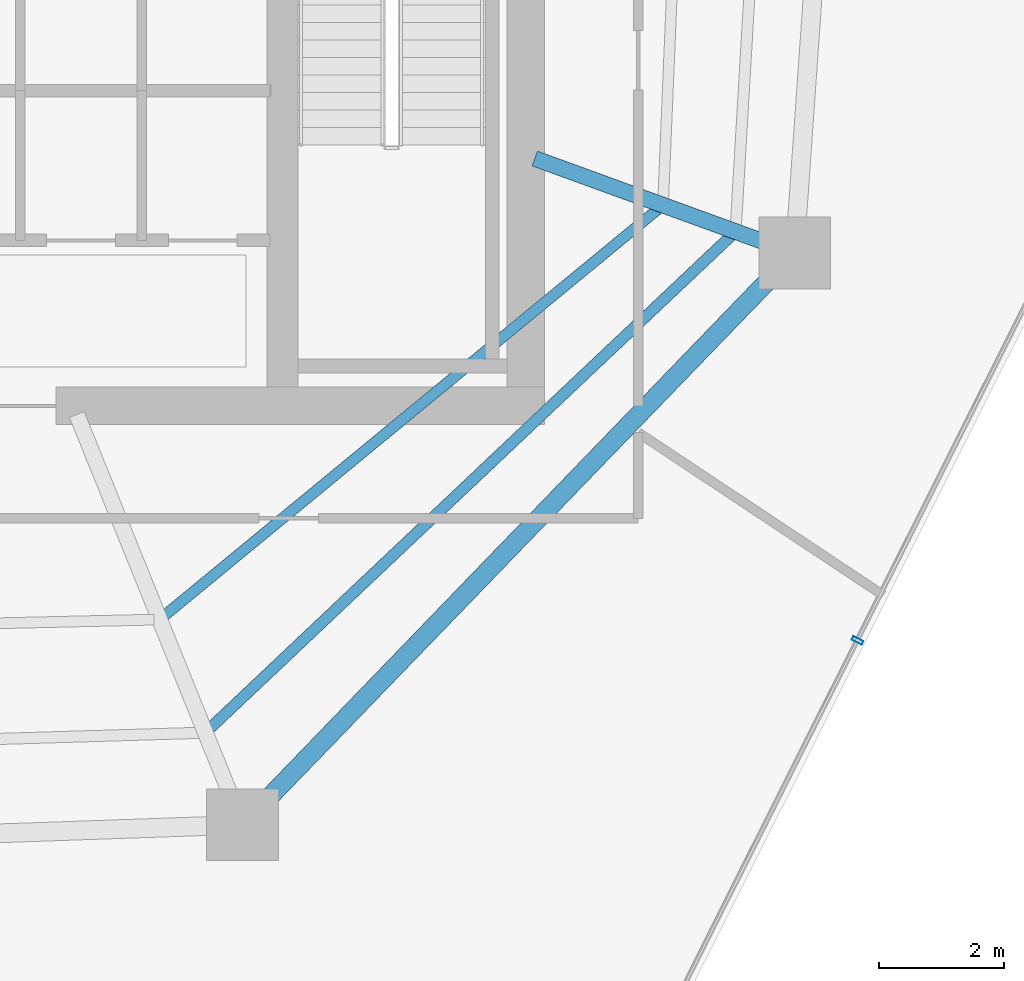
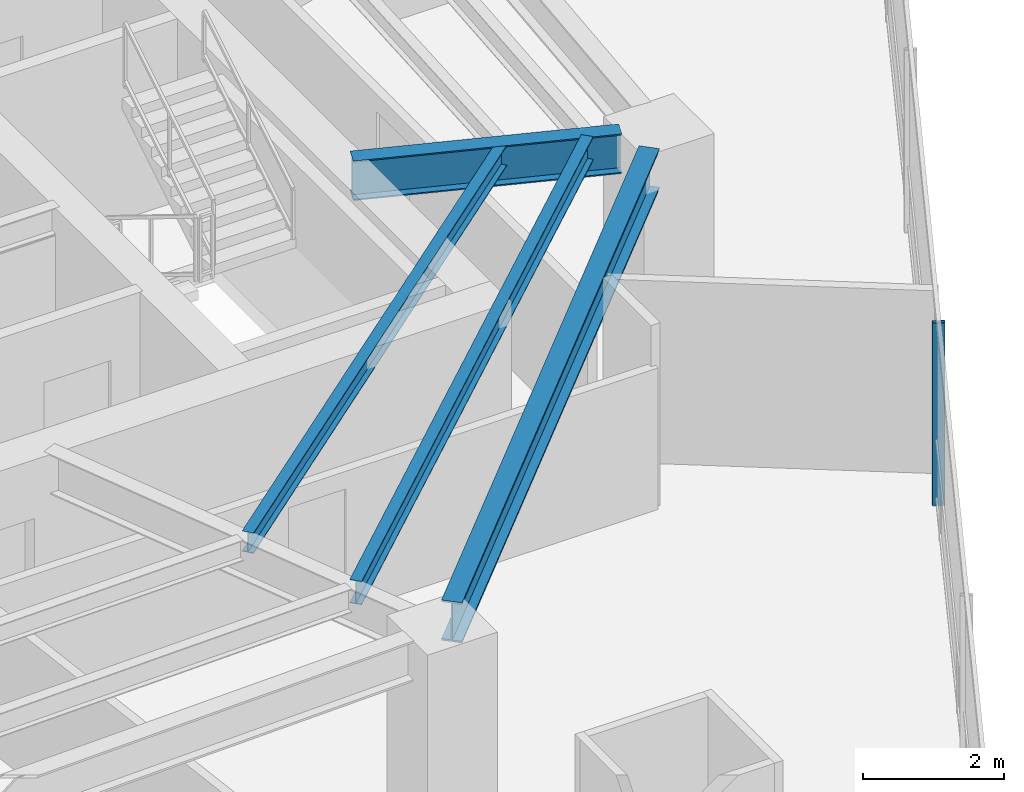
# One storey, part 11 of 30: 4 beams, 1 member, 1 element without a shape of its own.
"""IFC4 building model written with IfcOpenShell, lengths in metres."""

from ifc_helpers import new_model, si_unit, direction, frame, origin, origin_2d, place, context, subcontext, project, spatial, hollow_rectangle, i_section, extrude, material, layer, layer_set, material_profile, profile_set, type_object, element, aggregate, save


model = new_model("IFC4")

# Units and contexts
model_context = context("Model", 3, precision=1e-05, world=origin(), true_north=direction((0.0, 1.0)))
body_context = subcontext(model_context, "Body", "Model", "MODEL_VIEW")
ifc_project = project(units=[si_unit("LENGTHUNIT", "METRE"), si_unit("AREAUNIT", "SQUARE_METRE"), si_unit("VOLUMEUNIT", "CUBIC_METRE"), si_unit("PLANEANGLEUNIT", "RADIAN"), si_unit("MASSUNIT", "GRAM", prefix="KILO")], contexts=[model_context])

# Site, building, storey
site_placement = place(None, origin())
site = spatial("IfcSite", under=ifc_project, at=site_placement, CompositionType="ELEMENT")
building_placement = place(site_placement, origin())
building = spatial("IfcBuilding", under=site, at=building_placement, Name="Qarnah Convention Tower", CompositionType="ELEMENT")
storey_placement = place(building_placement, frame((0.0, 0.0, 79.800048828125)))
storey = spatial("IfcBuildingStorey", under=building, at=storey_placement, Name="L20", CompositionType="ELEMENT", Elevation=79.800048828125)

# Beams
ifc_material_1 = material(Name="Structural steel S355JR", Category="steel")
ifc_material_profile_1 = material_profile(ifc_material_1, i_section(OverallWidth=0.172119140625, OverallDepth=0.35595703125, WebThickness=0.007080078125, FlangeThickness=0.011962890625, at=origin_2d()), Name="W360X51")
ifc_profile_set_1 = profile_set([ifc_material_profile_1], Name="Structural steel S355JR")
beam_type_1 = type_object("IfcBeamType", Name="BM-JST-W360", PredefinedType="JOIST", material=ifc_profile_set_1)
beam_1_placement = place(storey_placement, frame((41.803955078125, 15.235107421875, 2.991943359375), z_axis=(0.772023617409, 0.63559384371, 0.0), x_axis=(-0.63559384371, 0.772023617409, 0.0)))
element("IfcBeam", 1, at=beam_1_placement, inside=storey, type_object=beam_type_1, Name="L20 joist BM-L20-IJST-08", PredefinedType="JOIST", context=body_context, shape_type="SweptSolid", body=[
    extrude(i_section(OverallWidth=0.172119140625, OverallDepth=0.35595703125, WebThickness=0.007080078125, FlangeThickness=0.011962890625, at=origin_2d()), origin(), (0.0, 0.0, 1.0), 10.2626953125),
])
ifc_material_profile_2 = material_profile(ifc_material_1, i_section(OverallWidth=0.177978515625, OverallDepth=0.407958984375, WebThickness=0.008056640625, FlangeThickness=0.012939453125, at=origin_2d()), Name="W410X60")
ifc_profile_set_2 = profile_set([ifc_material_profile_2], Name="Structural steel S355JR")
beam_type_2 = type_object("IfcBeamType", Name="BM-JST-W410", PredefinedType="JOIST", material=ifc_profile_set_2)
beam_2_placement = place(storey_placement, frame((42.531982421875, 13.427978515625, 2.966064453125), z_axis=(0.726813624137, 0.686834736868, 0.0), x_axis=(-0.686834736868, 0.726813624137, 0.0)))
element("IfcBeam", 2, at=beam_2_placement, inside=storey, type_object=beam_type_2, Name="L20 joist BM-L20-SJST-08", PredefinedType="JOIST", context=body_context, shape_type="SweptSolid", body=[
    extrude(i_section(OverallWidth=0.177978515625, OverallDepth=0.407958984375, WebThickness=0.008056640625, FlangeThickness=0.012939453125, at=origin_2d()), origin(), (0.0, 0.0, 1.0), 11.505126953125),
])
ifc_material_profile_3 = material_profile(ifc_material_1, i_section(OverallWidth=0.25390625, OverallDepth=0.68798828125, WebThickness=0.012939453125, FlangeThickness=0.02099609375, at=origin_2d()), Name="W690X152")
ifc_profile_set_3 = profile_set([ifc_material_profile_3], Name="Structural steel S355JR")
beam_type_3 = type_object("IfcBeamType", Name="BM-RAD-W690", PredefinedType="BEAM", material=ifc_profile_set_3)
beam_3_placement = place(storey_placement, frame((47.740966796875, 22.56298828125, 2.825927734375), z_axis=(0.93969593668, -0.342011032845, 0.0), x_axis=(0.342011032845, 0.93969593668, 0.0)))
element("IfcBeam", 3, at=beam_3_placement, inside=storey, type_object=beam_type_3, Name="L20 beam BM-L20-RAD-09", PredefinedType="BEAM", context=body_context, shape_type="SweptSolid", body=[
    extrude(i_section(OverallWidth=0.25390625, OverallDepth=0.68798828125, WebThickness=0.012939453125, FlangeThickness=0.02099609375, at=origin_2d()), origin(), (0.0, 0.0, 1.0), 3.876953125),
])
ifc_material_profile_4 = material_profile(ifc_material_1, i_section(OverallWidth=0.300048828125, OverallDepth=0.699951171875, WebThickness=0.01708984375, FlangeThickness=0.031982421875, at=origin_2d()), Name="HEB700")
ifc_profile_set_4 = profile_set([ifc_material_profile_4], Name="Structural steel S355JR")
beam_type_4 = type_object("IfcBeamType", Name="BM-RING-HEB700", PredefinedType="BEAM", material=ifc_profile_set_4)
beam_4_placement = place(storey_placement, frame((43.455078125, 12.2958984375, 2.820068359375), z_axis=(0.694656478954, 0.719341626939, 0.0), x_axis=(-0.719341626939, 0.694656478954, 0.0)))
element("IfcBeam", 4, at=beam_4_placement, inside=storey, type_object=beam_type_4, Name="L20 beam BM-L20-SPN-08", PredefinedType="BEAM", context=body_context, shape_type="SweptSolid", body=[
    extrude(i_section(OverallWidth=0.300048828125, OverallDepth=0.699951171875, WebThickness=0.01708984375, FlangeThickness=0.031982421875, at=origin_2d()), origin(), (0.0, 0.0, 1.0), 11.60107421875),
])

# Curtain wall, member
ifc_material_2 = material(Name="Tempered Low-E dark glass", Category="glass")
ifc_layer = layer(ifc_material_2, 0.169921875)
ifc_layer_set = layer_set([ifc_layer], Name="Tempered Low-E dark glass")
curtain_wall_type = type_object("IfcCurtainWallType", Name="CWS-02", PredefinedType="NOTDEFINED", material=ifc_layer_set)
curtain_wall_placement = place(storey_placement, origin())
curtain_wall = element("IfcCurtainWall", 5, at=curtain_wall_placement, inside=storey, type_object=curtain_wall_type, Name="L20 unitised curtain wall CW-L20-F2", PredefinedType="NOTDEFINED")
ifc_material_3 = material(Name="Black anodised aluminium", Category="aluminium")
ifc_material_profile_5 = material_profile(ifc_material_3, hollow_rectangle(XDim=0.06494140625, YDim=0.179931640625, WallThickness=0.00390625, at=origin_2d()), Name="MUL-65X180")
ifc_profile_set_5 = profile_set([ifc_material_profile_5], Name="Black anodised aluminium")
member_type = type_object("IfcMemberType", Name="MUL-T2", PredefinedType="MULLION", material=ifc_profile_set_5)
member_placement = place(storey_placement, frame((52.911865234375, 14.841552734375, 0.0), z_axis=(0.0, 0.0, 1.0), x_axis=(-0.44839497881, -0.893835523448, 0.0)))
member = element("IfcMember", 6, at=member_placement, type_object=member_type, Name="CW-L20-F2 mullion 4", PredefinedType="MULLION", context=body_context, shape_type="SweptSolid", body=[
    extrude(hollow_rectangle(XDim=0.06494140625, YDim=0.179931640625, WallThickness=0.00390625, at=origin_2d()), origin(), (0.0, 0.0, 1.0), 3.169921875),
])
aggregate(curtain_wall, [member])

save(model, "model.ifc")
